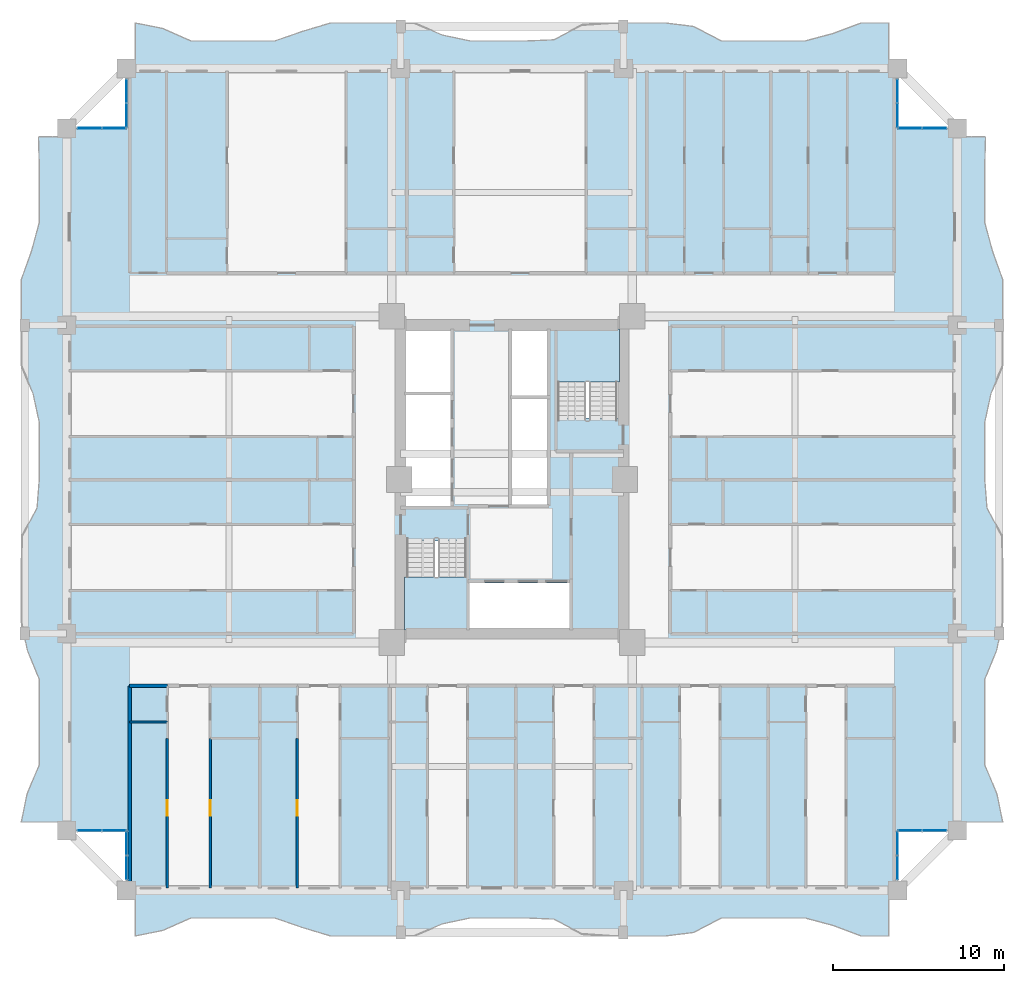
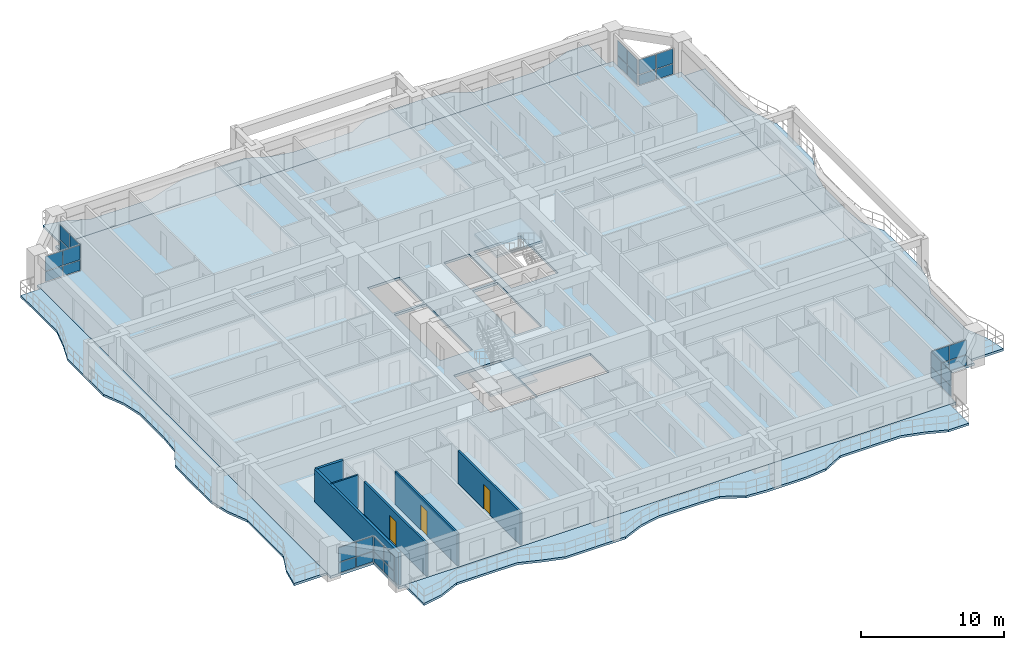
# One storey, part 13 of 28: 32 plates, 7 slabs, 6 walls, 3 doors, 3 openings, 10 elements without a shape of their own.
"""IFC4 building model written with IfcOpenShell, lengths in metres."""

from ifc_helpers import new_model, si_unit, direction, frame, frame_2d, origin, origin_2d, place, context, subcontext, project, spatial, polyline, rectangle, outline, extrude, source, transform, mapped, material, layer, layer_set, type_object, element, fill, aggregate, save


model = new_model("IFC4")

# Units and contexts
model_context = context("Model", 3, precision=1e-05, world=origin(), true_north=direction((0.0, 1.0)))
body_context = subcontext(model_context, "Body", "Model", "MODEL_VIEW")
ifc_project = project(units=[si_unit("LENGTHUNIT", "METRE"), si_unit("AREAUNIT", "SQUARE_METRE"), si_unit("VOLUMEUNIT", "CUBIC_METRE"), si_unit("PLANEANGLEUNIT", "RADIAN"), si_unit("MASSUNIT", "GRAM", prefix="KILO")], contexts=[model_context])

# Site, building, storey
site_placement = place(None, origin())
site = spatial("IfcSite", under=ifc_project, at=site_placement, CompositionType="ELEMENT")
building_placement = place(site_placement, origin())
building = spatial("IfcBuilding", under=site, at=building_placement, Name="Saelheon Loggia Tower", CompositionType="ELEMENT")
storey_placement = place(building_placement, frame((0.0, 0.0, 25.39990234375)))
storey = spatial("IfcBuildingStorey", under=building, at=storey_placement, Name="L07", CompositionType="ELEMENT", Elevation=25.39990234375)

# Slabs
ifc_material_1 = material(Name="Precast Concrete C45/55", Category="concrete")
ifc_layer_1 = layer(ifc_material_1, 0.18994140625)
ifc_layer_set_1 = layer_set([ifc_layer_1], Name="Precast Concrete C45/55")
slab_type_1 = type_object("IfcSlabType", Name="Slab_Loggia_Ext_190", PredefinedType="FLOOR", material=ifc_layer_set_1)
slab_1_placement = place(storey_placement, frame((0.0, 0.0, -0.18994140625)))
element("IfcSlab", 1, at=slab_1_placement, inside=storey, type_object=slab_type_1, Name="L07 Loggia Balcony Slab S", PredefinedType="FLOOR", context=body_context, shape_type="SweptSolid", body=[
    extrude(outline(polyline([(16.0, 0.35009765625), (17.629638671875, 0.67626953125), (19.25927734375, 1.39990234375), (20.888916015625, 1.39990234375), (22.5185546875, 1.39990234375), (24.148193359375, 1.39990234375), (25.77783203125, 0.8349609375), (27.407470703125, 0.35009765625), (29.037109375, 0.35009765625), (30.666748046875, 0.35009765625), (32.29638671875, 0.35009765625), (33.92578125, 1.0537109375), (35.5556640625, 1.39990234375), (37.185302734375, 1.39990234375), (38.814697265625, 1.39990234375), (40.4443359375, 1.33154296875), (42.07421875, 0.4619140625), (43.70361328125, 0.35009765625), (45.333251953125, 0.35009765625), (46.962890625, 0.35009765625), (48.592529296875, 0.549560546875), (50.22216796875, 1.39990234375), (51.851806640625, 1.39990234375), (53.4814453125, 1.39990234375), (55.111083984375, 1.39990234375), (56.74072265625, 0.963623046875), (58.370361328125, 0.35009765625), (60.0, 0.35009765625), (60.0, 3.0), (16.0, 3.0), (16.0, 0.35009765625)])), origin(), (0.0, 0.0, 1.0), 0.18994140625),
])
slab_2_placement = place(storey_placement, frame((0.0, 0.0, -0.18994140625)))
element("IfcSlab", 2, at=slab_2_placement, inside=storey, type_object=slab_type_1, Name="L07 Loggia Balcony Slab N", PredefinedType="FLOOR", context=body_context, shape_type="SweptSolid", body=[
    extrude(outline(polyline([(16.0, 51.0), (60.0, 51.0), (60.0, 53.64990234375), (58.370361328125, 53.64990234375), (56.74072265625, 53.036376953125), (55.111083984375, 52.60009765625), (53.4814453125, 52.60009765625), (51.851806640625, 52.60009765625), (50.22216796875, 52.60009765625), (48.592529296875, 53.450439453125), (46.962890625, 53.64990234375), (45.333251953125, 53.64990234375), (43.70361328125, 53.64990234375), (42.07421875, 53.5380859375), (40.4443359375, 52.66845703125), (38.814697265625, 52.60009765625), (37.185302734375, 52.60009765625), (35.5556640625, 52.60009765625), (33.92578125, 52.9462890625), (32.29638671875, 53.64990234375), (30.666748046875, 53.64990234375), (29.037109375, 53.64990234375), (27.407470703125, 53.64990234375), (25.77783203125, 53.1650390625), (24.148193359375, 52.60009765625), (22.5185546875, 52.60009765625), (20.888916015625, 52.60009765625), (19.25927734375, 52.60009765625), (17.629638671875, 53.32373046875), (16.0, 53.64990234375), (16.0, 51.0)])), origin(), (0.0, 0.0, 1.0), 0.18994140625),
])
slab_3_placement = place(storey_placement, frame((0.0, 0.0, -0.18994140625)))
element("IfcSlab", 3, at=slab_3_placement, inside=storey, type_object=slab_type_1, Name="L07 Loggia Balcony Slab E", PredefinedType="FLOOR", context=body_context, shape_type="SweptSolid", body=[
    extrude(outline(polyline([(64.0, 7.0), (66.64990234375, 7.0), (66.3037109375, 8.666748046875), (65.60009765625, 10.333251953125), (65.60009765625, 12.0), (65.60009765625, 13.666748046875), (65.60009765625, 15.333251953125), (66.28564453125, 17.0), (66.64990234375, 18.666748046875), (66.64990234375, 20.333251953125), (66.64990234375, 22.0), (66.6201171875, 23.666748046875), (65.731201171875, 25.333251953125), (65.60009765625, 27.0), (65.60009765625, 28.666748046875), (65.60009765625, 30.333251953125), (65.960205078125, 32.0), (66.64990234375, 33.666748046875), (66.64990234375, 35.333251953125), (66.64990234375, 37.0), (66.64990234375, 38.666748046875), (66.05029296875, 40.333251953125), (65.60009765625, 42.0), (65.60009765625, 43.666748046875), (65.60009765625, 45.333251953125), (65.64599609375, 47.0), (64.0, 47.0), (64.0, 7.0)])), origin(), (0.0, 0.0, 1.0), 0.18994140625),
])
slab_4_placement = place(storey_placement, frame((0.0, 0.0, -0.18994140625)))
element("IfcSlab", 4, at=slab_4_placement, inside=storey, type_object=slab_type_1, Name="L07 Loggia Balcony Slab W", PredefinedType="FLOOR", context=body_context, shape_type="SweptSolid", body=[
    extrude(outline(polyline([(12.0, 7.0), (12.0, 47.0), (10.35400390625, 47.0), (10.39990234375, 45.333251953125), (10.39990234375, 43.666748046875), (10.39990234375, 42.0), (9.94970703125, 40.333251953125), (9.35009765625, 38.666748046875), (9.35009765625, 37.0), (9.35009765625, 35.333251953125), (9.35009765625, 33.666748046875), (10.039794921875, 32.0), (10.39990234375, 30.333251953125), (10.39990234375, 28.666748046875), (10.39990234375, 27.0), (10.268798828125, 25.333251953125), (9.3798828125, 23.666748046875), (9.35009765625, 22.0), (9.35009765625, 20.333251953125), (9.35009765625, 18.666748046875), (9.71435546875, 17.0), (10.39990234375, 15.333251953125), (10.39990234375, 13.666748046875), (10.39990234375, 12.0), (10.39990234375, 10.333251953125), (9.6962890625, 8.666748046875), (9.35009765625, 7.0), (12.0, 7.0)])), origin(), (0.0, 0.0, 1.0), 0.18994140625),
])

# Stair, slab
ifc_material_2 = material(Name="Concrete C40/50", Category="concrete")
stair_type = type_object("IfcStairType", Name="Stair_Escape_Core", PredefinedType="HALF_TURN_STAIR", material=ifc_material_2)
stair_1_placement = place(storey_placement, origin())
stair_1 = element("IfcStair", 5, at=stair_1_placement, inside=storey, type_object=stair_type, Name="L07 Special Escape Stair ST1", PredefinedType="HALF_TURN_STAIR")
ifc_layer_2 = layer(ifc_material_2, 0.199951171875)
ifc_layer_set_2 = layer_set([ifc_layer_2], Name="Concrete C40/50")
slab_type_2 = type_object("IfcSlabType", Name="Slab_StairLanding_ST1", PredefinedType="LANDING", material=ifc_layer_set_2)
slab_5_placement = place(storey_placement, frame((0.0, 0.0, 1.300048828125)))
slab_5 = element("IfcSlab", 6, at=slab_5_placement, type_object=slab_type_2, Name="ST1 landing 1", PredefinedType="LANDING", context=body_context, shape_type="SweptSolid", body=[
    extrude(outline(polyline([(31.7099609375, 21.31005859375), (31.7099609375, 18.2099609375), (35.469970703125, 18.2099609375), (35.469970703125, 21.31005859375), (31.7099609375, 21.31005859375)])), origin(), (0.0, 0.0, 1.0), 0.199951171875),
])
aggregate(stair_1, [slab_5])

stair_2_placement = place(storey_placement, origin())
stair_2 = element("IfcStair", 7, at=stair_2_placement, inside=storey, type_object=stair_type, Name="L07 Special Escape Stair ST2", PredefinedType="HALF_TURN_STAIR")
ifc_layer_3 = layer(ifc_material_2, 0.199951171875)
ifc_layer_set_3 = layer_set([ifc_layer_3], Name="Concrete C40/50")
slab_type_3 = type_object("IfcSlabType", Name="Slab_StairLanding_ST2", PredefinedType="LANDING", material=ifc_layer_set_3)
slab_6_placement = place(storey_placement, frame((0.0, 0.0, 1.300048828125)))
slab_6 = element("IfcSlab", 8, at=slab_6_placement, type_object=slab_type_3, Name="ST2 landing 1", PredefinedType="LANDING", context=body_context, shape_type="SweptSolid", body=[
    extrude(outline(polyline([(44.2900390625, 32.68994140625), (44.2900390625, 35.7900390625), (40.530029296875, 35.7900390625), (40.530029296875, 32.68994140625), (44.2900390625, 32.68994140625)])), origin(), (0.0, 0.0, 1.0), 0.199951171875),
])
aggregate(stair_2, [slab_6])

# Slab
ifc_layer_4 = layer(ifc_material_2, 0.2099609375)
ifc_layer_set_4 = layer_set([ifc_layer_4], Name="Concrete C40/50")
slab_type_4 = type_object("IfcSlabType", Name="Slab_Tower_210", PredefinedType="FLOOR", material=ifc_layer_set_4)
slab_7_placement = place(storey_placement, frame((0.0, 0.0, -0.2099609375)))
element("IfcSlab", 9, at=slab_7_placement, inside=storey, type_object=slab_type_4, Name="L07 Tower Floor Slab", PredefinedType="FLOOR", context=body_context, shape_type="SweptSolid", body=[
    extrude(outline(polyline([(15.5, 3.0), (60.5, 3.0), (60.5, 6.5), (64.0, 6.5), (64.0, 47.5), (60.5, 47.5), (60.5, 51.0), (15.5, 51.0), (15.5, 47.5), (12.0, 47.5), (12.0, 6.5), (15.5, 6.5), (15.5, 3.0)]), holes=[polyline([(31.699951171875, 23.409912109375), (31.699951171875, 18.199951171875), (35.47998046875, 18.199951171875), (35.47998046875, 23.409912109375), (31.699951171875, 23.409912109375)]), polyline([(44.300048828125, 30.590087890625), (44.300048828125, 35.800048828125), (40.52001953125, 35.800048828125), (40.52001953125, 30.590087890625), (44.300048828125, 30.590087890625)]), polyline([(35.530029296875, 18.324951171875), (41.35009765625, 18.324951171875), (41.35009765625, 20.9599609375), (35.530029296875, 20.9599609375), (35.530029296875, 18.324951171875)]), polyline([(31.824951171875, 32.1201171875), (34.419921875, 32.1201171875), (34.419921875, 35.675048828125), (31.824951171875, 35.675048828125), (31.824951171875, 32.1201171875)]), polyline([(38.0, 31.89990234375), (40.050048828125, 31.89990234375), (40.050048828125, 35.675048828125), (38.0, 35.675048828125), (38.0, 31.89990234375)]), polyline([(31.824951171875, 25.449951171875), (34.419921875, 25.449951171875), (34.419921875, 31.919921875), (31.824951171875, 31.919921875), (31.824951171875, 25.449951171875)]), polyline([(38.0, 25.5400390625), (40.050048828125, 25.5400390625), (40.050048828125, 31.699951171875), (38.0, 31.699951171875), (38.0, 25.5400390625)])]), origin(), (0.0, 0.0, 1.0), 0.2099609375),
])

# Curtain wall, plates
ifc_material_3 = material(Name="Thermal-Break Aluminium and Triple Low-E Glass", Category="aluminium")
ifc_layer_5 = layer(ifc_material_3, 0.159912109375)
ifc_layer_set_5 = layer_set([ifc_layer_5], Name="Thermal-Break Aluminium and Triple Low-E Glass")
curtain_wall_type = type_object("IfcCurtainWallType", Name="CW_TowerLoggiaLow", PredefinedType="NOTDEFINED", material=ifc_layer_set_5)
curtain_wall_1_placement = place(storey_placement, origin())
curtain_wall_1 = element("IfcCurtainWall", 10, at=curtain_wall_1_placement, inside=storey, type_object=curtain_wall_type, Name="L07 Corner Notch Glazing SW1", PredefinedType="NOTDEFINED")
ifc_material_4 = material(Name="Triple Low-E Laminated Glazing", Category="glass")
ifc_layer_6 = layer(ifc_material_4, 0.0419921875)
ifc_layer_set_6 = layer_set([ifc_layer_6], Name="Triple Low-E Laminated Glazing")
plate_type = type_object("IfcPlateType", Name="CW_TowerLoggiaLow_Panel", PredefinedType="CURTAIN_PANEL", material=ifc_layer_set_6)
shared_shape_1 = source(origin(), body_context, "Body", "SweptSolid", [
    extrude(rectangle(XDim=1.357421875, YDim=0.0419921875, at=origin_2d()), origin(), (0.0, 0.0, 1.0), 0.8525390625),
])
plate_1_placement = place(storey_placement, frame((15.5, 4.333740234375, 0.065185546875), z_axis=(0.0, 0.0, 1.0), x_axis=(0.0, 1.0, 0.0)))
plate_1 = element("IfcPlate", 11, at=plate_1_placement, type_object=plate_type, Name="CW3 panel 1.1", PredefinedType="CURTAIN_PANEL", context=body_context, shape_type="MappedRepresentation", body=[
    mapped(shared_shape_1, transform((0.0, 0.0, 0.0), scale=1.0)),
])
plate_2_placement = place(storey_placement, frame((15.5, 5.75634765625, 0.065185546875), z_axis=(0.0, 0.0, 1.0), x_axis=(0.0, 1.0, 0.0)))
plate_2 = element("IfcPlate", 12, at=plate_2_placement, type_object=plate_type, Name="CW3 panel 2.1", PredefinedType="CURTAIN_PANEL", context=body_context, shape_type="MappedRepresentation", body=[
    mapped(shared_shape_1, transform((0.0, 0.0, 0.0), scale=1.0)),
])

curtain_wall_2_placement = place(storey_placement, origin())
curtain_wall_2 = element("IfcCurtainWall", 13, at=curtain_wall_2_placement, inside=storey, type_object=curtain_wall_type, Name="L07 Corner Notch Glazing SW2", PredefinedType="NOTDEFINED")
plate_3_placement = place(storey_placement, frame((13.333740234375, 6.5, 0.065185546875), z_axis=(0.0, 0.0, 1.0), x_axis=(1.0, 0.0, 0.0)))
plate_3 = element("IfcPlate", 14, at=plate_3_placement, type_object=plate_type, Name="CW3 panel 1.1", PredefinedType="CURTAIN_PANEL", context=body_context, shape_type="MappedRepresentation", body=[
    mapped(shared_shape_1, transform((0.0, 0.0, 0.0), scale=1.0)),
])
plate_4_placement = place(storey_placement, frame((14.75634765625, 6.5, 0.065185546875), z_axis=(0.0, 0.0, 1.0), x_axis=(1.0, 0.0, 0.0)))
plate_4 = element("IfcPlate", 15, at=plate_4_placement, type_object=plate_type, Name="CW3 panel 2.1", PredefinedType="CURTAIN_PANEL", context=body_context, shape_type="MappedRepresentation", body=[
    mapped(shared_shape_1, transform((0.0, 0.0, 0.0), scale=1.0)),
])

curtain_wall_3_placement = place(storey_placement, origin())
curtain_wall_3 = element("IfcCurtainWall", 16, at=curtain_wall_3_placement, inside=storey, type_object=curtain_wall_type, Name="L07 Corner Notch Glazing SE1", PredefinedType="NOTDEFINED")
plate_5_placement = place(storey_placement, frame((60.5, 4.333740234375, 0.065185546875), z_axis=(0.0, 0.0, 1.0), x_axis=(0.0, 1.0, 0.0)))
plate_5 = element("IfcPlate", 17, at=plate_5_placement, type_object=plate_type, Name="CW3 panel 1.1", PredefinedType="CURTAIN_PANEL", context=body_context, shape_type="MappedRepresentation", body=[
    mapped(shared_shape_1, transform((0.0, 0.0, 0.0), scale=1.0)),
])
plate_6_placement = place(storey_placement, frame((60.5, 5.75634765625, 0.065185546875), z_axis=(0.0, 0.0, 1.0), x_axis=(0.0, 1.0, 0.0)))
plate_6 = element("IfcPlate", 18, at=plate_6_placement, type_object=plate_type, Name="CW3 panel 2.1", PredefinedType="CURTAIN_PANEL", context=body_context, shape_type="MappedRepresentation", body=[
    mapped(shared_shape_1, transform((0.0, 0.0, 0.0), scale=1.0)),
])

curtain_wall_4_placement = place(storey_placement, origin())
curtain_wall_4 = element("IfcCurtainWall", 19, at=curtain_wall_4_placement, inside=storey, type_object=curtain_wall_type, Name="L07 Corner Notch Glazing SE2", PredefinedType="NOTDEFINED")
plate_7_placement = place(storey_placement, frame((61.24365234375, 6.5, 0.065185546875), z_axis=(0.0, 0.0, 1.0), x_axis=(1.0, 0.0, 0.0)))
plate_7 = element("IfcPlate", 20, at=plate_7_placement, type_object=plate_type, Name="CW3 panel 1.1", PredefinedType="CURTAIN_PANEL", context=body_context, shape_type="MappedRepresentation", body=[
    mapped(shared_shape_1, transform((0.0, 0.0, 0.0), scale=1.0)),
])
plate_8_placement = place(storey_placement, frame((62.666259765625, 6.5, 0.065185546875), z_axis=(0.0, 0.0, 1.0), x_axis=(1.0, 0.0, 0.0)))
plate_8 = element("IfcPlate", 21, at=plate_8_placement, type_object=plate_type, Name="CW3 panel 2.1", PredefinedType="CURTAIN_PANEL", context=body_context, shape_type="MappedRepresentation", body=[
    mapped(shared_shape_1, transform((0.0, 0.0, 0.0), scale=1.0)),
])

curtain_wall_5_placement = place(storey_placement, origin())
curtain_wall_5 = element("IfcCurtainWall", 22, at=curtain_wall_5_placement, inside=storey, type_object=curtain_wall_type, Name="L07 Corner Notch Glazing NW1", PredefinedType="NOTDEFINED")
plate_9_placement = place(storey_placement, frame((15.5, 48.24365234375, 0.065185546875), z_axis=(0.0, 0.0, 1.0), x_axis=(0.0, 1.0, 0.0)))
plate_9 = element("IfcPlate", 23, at=plate_9_placement, type_object=plate_type, Name="CW3 panel 1.1", PredefinedType="CURTAIN_PANEL", context=body_context, shape_type="MappedRepresentation", body=[
    mapped(shared_shape_1, transform((0.0, 0.0, 0.0), scale=1.0)),
])
plate_10_placement = place(storey_placement, frame((15.5, 49.666259765625, 0.065185546875), z_axis=(0.0, 0.0, 1.0), x_axis=(0.0, 1.0, 0.0)))
plate_10 = element("IfcPlate", 24, at=plate_10_placement, type_object=plate_type, Name="CW3 panel 2.1", PredefinedType="CURTAIN_PANEL", context=body_context, shape_type="MappedRepresentation", body=[
    mapped(shared_shape_1, transform((0.0, 0.0, 0.0), scale=1.0)),
])

curtain_wall_6_placement = place(storey_placement, origin())
curtain_wall_6 = element("IfcCurtainWall", 25, at=curtain_wall_6_placement, inside=storey, type_object=curtain_wall_type, Name="L07 Corner Notch Glazing NW2", PredefinedType="NOTDEFINED")
plate_11_placement = place(storey_placement, frame((13.333740234375, 47.5, 0.065185546875), z_axis=(0.0, 0.0, 1.0), x_axis=(1.0, 0.0, 0.0)))
plate_11 = element("IfcPlate", 26, at=plate_11_placement, type_object=plate_type, Name="CW3 panel 1.1", PredefinedType="CURTAIN_PANEL", context=body_context, shape_type="MappedRepresentation", body=[
    mapped(shared_shape_1, transform((0.0, 0.0, 0.0), scale=1.0)),
])
plate_12_placement = place(storey_placement, frame((14.75634765625, 47.5, 0.065185546875), z_axis=(0.0, 0.0, 1.0), x_axis=(1.0, 0.0, 0.0)))
plate_12 = element("IfcPlate", 27, at=plate_12_placement, type_object=plate_type, Name="CW3 panel 2.1", PredefinedType="CURTAIN_PANEL", context=body_context, shape_type="MappedRepresentation", body=[
    mapped(shared_shape_1, transform((0.0, 0.0, 0.0), scale=1.0)),
])

curtain_wall_7_placement = place(storey_placement, origin())
curtain_wall_7 = element("IfcCurtainWall", 28, at=curtain_wall_7_placement, inside=storey, type_object=curtain_wall_type, Name="L07 Corner Notch Glazing NE1", PredefinedType="NOTDEFINED")
plate_13_placement = place(storey_placement, frame((60.5, 48.24365234375, 0.065185546875), z_axis=(0.0, 0.0, 1.0), x_axis=(0.0, 1.0, 0.0)))
plate_13 = element("IfcPlate", 29, at=plate_13_placement, type_object=plate_type, Name="CW3 panel 1.1", PredefinedType="CURTAIN_PANEL", context=body_context, shape_type="MappedRepresentation", body=[
    mapped(shared_shape_1, transform((0.0, 0.0, 0.0), scale=1.0)),
])
plate_14_placement = place(storey_placement, frame((60.5, 49.666259765625, 0.065185546875), z_axis=(0.0, 0.0, 1.0), x_axis=(0.0, 1.0, 0.0)))
plate_14 = element("IfcPlate", 30, at=plate_14_placement, type_object=plate_type, Name="CW3 panel 2.1", PredefinedType="CURTAIN_PANEL", context=body_context, shape_type="MappedRepresentation", body=[
    mapped(shared_shape_1, transform((0.0, 0.0, 0.0), scale=1.0)),
])

curtain_wall_8_placement = place(storey_placement, origin())
curtain_wall_8 = element("IfcCurtainWall", 31, at=curtain_wall_8_placement, inside=storey, type_object=curtain_wall_type, Name="L07 Corner Notch Glazing NE2", PredefinedType="NOTDEFINED")
plate_15_placement = place(storey_placement, frame((61.24365234375, 47.5, 0.065185546875), z_axis=(0.0, 0.0, 1.0), x_axis=(1.0, 0.0, 0.0)))
plate_15 = element("IfcPlate", 32, at=plate_15_placement, type_object=plate_type, Name="CW3 panel 1.1", PredefinedType="CURTAIN_PANEL", context=body_context, shape_type="MappedRepresentation", body=[
    mapped(shared_shape_1, transform((0.0, 0.0, 0.0), scale=1.0)),
])
plate_16_placement = place(storey_placement, frame((62.666259765625, 47.5, 0.065185546875), z_axis=(0.0, 0.0, 1.0), x_axis=(1.0, 0.0, 0.0)))
plate_16 = element("IfcPlate", 33, at=plate_16_placement, type_object=plate_type, Name="CW3 panel 2.1", PredefinedType="CURTAIN_PANEL", context=body_context, shape_type="MappedRepresentation", body=[
    mapped(shared_shape_1, transform((0.0, 0.0, 0.0), scale=1.0)),
])

# Plate
shared_shape_2 = source(origin(), body_context, "Body", "SweptSolid", [
    extrude(rectangle(XDim=1.357421875, YDim=0.0419921875, at=origin_2d()), origin(), (0.0, 0.0, 1.0), 1.232421875),
])
plate_17_placement = place(storey_placement, frame((15.5, 4.333740234375, 0.982666015625), z_axis=(0.0, 0.0, 1.0), x_axis=(0.0, 1.0, 0.0)))
plate_17 = element("IfcPlate", 34, at=plate_17_placement, type_object=plate_type, Name="CW3 panel 1.2", PredefinedType="CURTAIN_PANEL", context=body_context, shape_type="MappedRepresentation", body=[
    mapped(shared_shape_2, transform((0.0, 0.0, 0.0), scale=1.0)),
])

plate_18_placement = place(storey_placement, frame((15.5, 5.75634765625, 0.982666015625), z_axis=(0.0, 0.0, 1.0), x_axis=(0.0, 1.0, 0.0)))
plate_18 = element("IfcPlate", 35, at=plate_18_placement, type_object=plate_type, Name="CW3 panel 2.2", PredefinedType="CURTAIN_PANEL", context=body_context, shape_type="MappedRepresentation", body=[
    mapped(shared_shape_2, transform((0.0, 0.0, 0.0), scale=1.0)),
])

aggregate(curtain_wall_1, [plate_1, plate_17, plate_2, plate_18])

plate_19_placement = place(storey_placement, frame((13.333740234375, 6.5, 0.982666015625), z_axis=(0.0, 0.0, 1.0), x_axis=(1.0, 0.0, 0.0)))
plate_19 = element("IfcPlate", 36, at=plate_19_placement, type_object=plate_type, Name="CW3 panel 1.2", PredefinedType="CURTAIN_PANEL", context=body_context, shape_type="MappedRepresentation", body=[
    mapped(shared_shape_2, transform((0.0, 0.0, 0.0), scale=1.0)),
])

plate_20_placement = place(storey_placement, frame((14.75634765625, 6.5, 0.982666015625), z_axis=(0.0, 0.0, 1.0), x_axis=(1.0, 0.0, 0.0)))
plate_20 = element("IfcPlate", 37, at=plate_20_placement, type_object=plate_type, Name="CW3 panel 2.2", PredefinedType="CURTAIN_PANEL", context=body_context, shape_type="MappedRepresentation", body=[
    mapped(shared_shape_2, transform((0.0, 0.0, 0.0), scale=1.0)),
])

aggregate(curtain_wall_2, [plate_3, plate_19, plate_4, plate_20])

plate_21_placement = place(storey_placement, frame((60.5, 4.333740234375, 0.982666015625), z_axis=(0.0, 0.0, 1.0), x_axis=(0.0, 1.0, 0.0)))
plate_21 = element("IfcPlate", 38, at=plate_21_placement, type_object=plate_type, Name="CW3 panel 1.2", PredefinedType="CURTAIN_PANEL", context=body_context, shape_type="MappedRepresentation", body=[
    mapped(shared_shape_2, transform((0.0, 0.0, 0.0), scale=1.0)),
])

plate_22_placement = place(storey_placement, frame((60.5, 5.75634765625, 0.982666015625), z_axis=(0.0, 0.0, 1.0), x_axis=(0.0, 1.0, 0.0)))
plate_22 = element("IfcPlate", 39, at=plate_22_placement, type_object=plate_type, Name="CW3 panel 2.2", PredefinedType="CURTAIN_PANEL", context=body_context, shape_type="MappedRepresentation", body=[
    mapped(shared_shape_2, transform((0.0, 0.0, 0.0), scale=1.0)),
])

aggregate(curtain_wall_3, [plate_5, plate_21, plate_6, plate_22])

plate_23_placement = place(storey_placement, frame((61.24365234375, 6.5, 0.982666015625), z_axis=(0.0, 0.0, 1.0), x_axis=(1.0, 0.0, 0.0)))
plate_23 = element("IfcPlate", 40, at=plate_23_placement, type_object=plate_type, Name="CW3 panel 1.2", PredefinedType="CURTAIN_PANEL", context=body_context, shape_type="MappedRepresentation", body=[
    mapped(shared_shape_2, transform((0.0, 0.0, 0.0), scale=1.0)),
])

plate_24_placement = place(storey_placement, frame((62.666259765625, 6.5, 0.982666015625), z_axis=(0.0, 0.0, 1.0), x_axis=(1.0, 0.0, 0.0)))
plate_24 = element("IfcPlate", 41, at=plate_24_placement, type_object=plate_type, Name="CW3 panel 2.2", PredefinedType="CURTAIN_PANEL", context=body_context, shape_type="MappedRepresentation", body=[
    mapped(shared_shape_2, transform((0.0, 0.0, 0.0), scale=1.0)),
])

aggregate(curtain_wall_4, [plate_7, plate_23, plate_8, plate_24])

plate_25_placement = place(storey_placement, frame((15.5, 48.24365234375, 0.982666015625), z_axis=(0.0, 0.0, 1.0), x_axis=(0.0, 1.0, 0.0)))
plate_25 = element("IfcPlate", 42, at=plate_25_placement, type_object=plate_type, Name="CW3 panel 1.2", PredefinedType="CURTAIN_PANEL", context=body_context, shape_type="MappedRepresentation", body=[
    mapped(shared_shape_2, transform((0.0, 0.0, 0.0), scale=1.0)),
])

plate_26_placement = place(storey_placement, frame((15.5, 49.666259765625, 0.982666015625), z_axis=(0.0, 0.0, 1.0), x_axis=(0.0, 1.0, 0.0)))
plate_26 = element("IfcPlate", 43, at=plate_26_placement, type_object=plate_type, Name="CW3 panel 2.2", PredefinedType="CURTAIN_PANEL", context=body_context, shape_type="MappedRepresentation", body=[
    mapped(shared_shape_2, transform((0.0, 0.0, 0.0), scale=1.0)),
])

aggregate(curtain_wall_5, [plate_9, plate_25, plate_10, plate_26])

plate_27_placement = place(storey_placement, frame((13.333740234375, 47.5, 0.982666015625), z_axis=(0.0, 0.0, 1.0), x_axis=(1.0, 0.0, 0.0)))
plate_27 = element("IfcPlate", 44, at=plate_27_placement, type_object=plate_type, Name="CW3 panel 1.2", PredefinedType="CURTAIN_PANEL", context=body_context, shape_type="MappedRepresentation", body=[
    mapped(shared_shape_2, transform((0.0, 0.0, 0.0), scale=1.0)),
])

plate_28_placement = place(storey_placement, frame((14.75634765625, 47.5, 0.982666015625), z_axis=(0.0, 0.0, 1.0), x_axis=(1.0, 0.0, 0.0)))
plate_28 = element("IfcPlate", 45, at=plate_28_placement, type_object=plate_type, Name="CW3 panel 2.2", PredefinedType="CURTAIN_PANEL", context=body_context, shape_type="MappedRepresentation", body=[
    mapped(shared_shape_2, transform((0.0, 0.0, 0.0), scale=1.0)),
])

aggregate(curtain_wall_6, [plate_11, plate_27, plate_12, plate_28])

plate_29_placement = place(storey_placement, frame((60.5, 48.24365234375, 0.982666015625), z_axis=(0.0, 0.0, 1.0), x_axis=(0.0, 1.0, 0.0)))
plate_29 = element("IfcPlate", 46, at=plate_29_placement, type_object=plate_type, Name="CW3 panel 1.2", PredefinedType="CURTAIN_PANEL", context=body_context, shape_type="MappedRepresentation", body=[
    mapped(shared_shape_2, transform((0.0, 0.0, 0.0), scale=1.0)),
])

plate_30_placement = place(storey_placement, frame((60.5, 49.666259765625, 0.982666015625), z_axis=(0.0, 0.0, 1.0), x_axis=(0.0, 1.0, 0.0)))
plate_30 = element("IfcPlate", 47, at=plate_30_placement, type_object=plate_type, Name="CW3 panel 2.2", PredefinedType="CURTAIN_PANEL", context=body_context, shape_type="MappedRepresentation", body=[
    mapped(shared_shape_2, transform((0.0, 0.0, 0.0), scale=1.0)),
])

aggregate(curtain_wall_7, [plate_13, plate_29, plate_14, plate_30])

plate_31_placement = place(storey_placement, frame((61.24365234375, 47.5, 0.982666015625), z_axis=(0.0, 0.0, 1.0), x_axis=(1.0, 0.0, 0.0)))
plate_31 = element("IfcPlate", 48, at=plate_31_placement, type_object=plate_type, Name="CW3 panel 1.2", PredefinedType="CURTAIN_PANEL", context=body_context, shape_type="MappedRepresentation", body=[
    mapped(shared_shape_2, transform((0.0, 0.0, 0.0), scale=1.0)),
])

plate_32_placement = place(storey_placement, frame((62.666259765625, 47.5, 0.982666015625), z_axis=(0.0, 0.0, 1.0), x_axis=(1.0, 0.0, 0.0)))
plate_32 = element("IfcPlate", 49, at=plate_32_placement, type_object=plate_type, Name="CW3 panel 2.2", PredefinedType="CURTAIN_PANEL", context=body_context, shape_type="MappedRepresentation", body=[
    mapped(shared_shape_2, transform((0.0, 0.0, 0.0), scale=1.0)),
])

aggregate(curtain_wall_8, [plate_15, plate_31, plate_16, plate_32])

# Wall, opening, door
ifc_material_5 = material(Name="Lightweight Autoclaved Aerated Concrete Block and Acoustic Gypsum", Category="concrete")
ifc_layer_7 = layer(ifc_material_5, 0.14990234375)
ifc_layer_set_7 = layer_set([ifc_layer_7], Name="Lightweight Autoclaved Aerated Concrete Block and Acoustic Gypsum")
wall_type_1 = type_object("IfcWallType", Name="Wall_Part_150", PredefinedType="PARTITIONING", material=ifc_layer_set_7)
wall_1_placement = place(storey_placement, frame((17.8798828125, 11.8798828125, 0.0), z_axis=(0.0, 0.0, 1.0), x_axis=(0.0, -1.0, 0.0)))
wall_1 = element("IfcWall", 50, at=wall_1_placement, inside=storey, type_object=wall_type_1, Name="L07 S Partition U10", PredefinedType="PARTITIONING", context=body_context, shape_type="SweptSolid", body=[
    extrude(rectangle(XDim=8.72998046875, YDim=0.14990234375, at=frame_2d((4.364990234375, 0.0))), origin(), (0.0, 0.0, 1.0), 2.7900390625),
])
opening_1_placement = place(wall_1_placement, frame((3.608642578125, 0.0, 0.0)))
opening_1 = element("IfcOpeningElement", 51, at=opening_1_placement, cuts=wall_1, Name="Opening D-IN2", PredefinedType="OPENING", context=body_context, shape_type="SweptSolid", body=[
    extrude(rectangle(XDim=0.89990234375, YDim=2.10009765625, at=frame_2d((0.449951171875, 1.050048828125))), frame((0.0, 0.0869140625, 0.0), z_axis=(0.0, -1.0, 0.0), x_axis=(1.0, 0.0, 0.0)), (0.0, 0.0, 1.0), 0.173828125),
])
ifc_material_6 = material(Name="Engineered Oak Flush Door", Category="timber")
door_type = type_object("IfcDoorType", Name="Door_Int_900", OperationType="NOTDEFINED", PredefinedType="DOOR", material=ifc_material_6)
shared_shape_3 = source(origin(), body_context, "Body", "SweptSolid", [
    extrude(rectangle(XDim=0.89990234375, YDim=2.10009765625, at=frame_2d((0.449951171875, 1.050048828125))), frame((0.0, 0.02490234375, 0.0), z_axis=(0.0, -1.0, 0.0), x_axis=(1.0, 0.0, 0.0)), (0.0, 0.0, 1.0), 0.050048828125),
])
door_1_placement = place(opening_1_placement, origin())
door_1 = element("IfcDoor", 52, at=door_1_placement, inside=storey, type_object=door_type, Name="Unit U01 Kitchen Door", OperationType="SINGLE_SWING_LEFT", OverallHeight=2.10009765625, OverallWidth=0.89990234375, PredefinedType="DOOR", context=body_context, shape_type="MappedRepresentation", body=[
    mapped(shared_shape_3, transform((0.0, 0.0, 0.0), scale=1.0)),
])
fill(opening_1, door_1)

wall_2_placement = place(storey_placement, frame((20.385009765625, 11.8798828125, 0.0), z_axis=(0.0, 0.0, 1.0), x_axis=(0.0, -1.0, 0.0)))
wall_2 = element("IfcWall", 53, at=wall_2_placement, inside=storey, type_object=wall_type_1, Name="L07 S Partition U12", PredefinedType="PARTITIONING", context=body_context, shape_type="SweptSolid", body=[
    extrude(rectangle(XDim=8.72998046875, YDim=0.14990234375, at=frame_2d((4.364990234375, 0.0))), origin(), (0.0, 0.0, 1.0), 2.7900390625),
])
opening_2_placement = place(wall_2_placement, frame((3.608642578125, 0.0, 0.0)))
opening_2 = element("IfcOpeningElement", 54, at=opening_2_placement, cuts=wall_2, Name="Opening D-IN2", PredefinedType="OPENING", context=body_context, shape_type="SweptSolid", body=[
    extrude(rectangle(XDim=0.89990234375, YDim=2.10009765625, at=frame_2d((0.449951171875, 1.050048828125))), frame((0.0, 0.0869140625, 0.0), z_axis=(0.0, -1.0, 0.0), x_axis=(1.0, 0.0, 0.0)), (0.0, 0.0, 1.0), 0.173828125),
])
door_2_placement = place(opening_2_placement, origin())
door_2 = element("IfcDoor", 55, at=door_2_placement, inside=storey, type_object=door_type, Name="Unit U01 Bedroom 1 Door", OperationType="SINGLE_SWING_LEFT", OverallHeight=2.10009765625, OverallWidth=0.89990234375, PredefinedType="DOOR", context=body_context, shape_type="MappedRepresentation", body=[
    mapped(shared_shape_3, transform((0.0, 0.0, 0.0), scale=1.0)),
])
fill(opening_2, door_2)

wall_3_placement = place(storey_placement, frame((25.46875, 11.8798828125, 0.0), z_axis=(0.0, 0.0, 1.0), x_axis=(0.0, -1.0, 0.0)))
wall_3 = element("IfcWall", 56, at=wall_3_placement, inside=storey, type_object=wall_type_1, Name="L07 S Partition U21", PredefinedType="PARTITIONING", context=body_context, shape_type="SweptSolid", body=[
    extrude(rectangle(XDim=8.72998046875, YDim=0.14990234375, at=frame_2d((4.364990234375, 0.0))), origin(), (0.0, 0.0, 1.0), 2.7900390625),
])
opening_3_placement = place(wall_3_placement, frame((3.608642578125, 0.0, 0.0)))
opening_3 = element("IfcOpeningElement", 57, at=opening_3_placement, cuts=wall_3, Name="Opening D-IN2", PredefinedType="OPENING", context=body_context, shape_type="SweptSolid", body=[
    extrude(rectangle(XDim=0.89990234375, YDim=2.10009765625, at=frame_2d((0.449951171875, 1.050048828125))), frame((0.0, 0.0869140625, 0.0), z_axis=(0.0, -1.0, 0.0), x_axis=(1.0, 0.0, 0.0)), (0.0, 0.0, 1.0), 0.173828125),
])
door_3_placement = place(opening_3_placement, origin())
door_3 = element("IfcDoor", 58, at=door_3_placement, inside=storey, type_object=door_type, Name="Unit U02 Kitchen Door", OperationType="SINGLE_SWING_RIGHT", OverallHeight=2.10009765625, OverallWidth=0.89990234375, PredefinedType="DOOR", context=body_context, shape_type="MappedRepresentation", body=[
    mapped(shared_shape_3, transform((0.0, 0.0, 0.0), scale=1.0)),
])
fill(opening_3, door_3)

# Walls
ifc_material_7 = material(Name="Double Acoustic Stud and Fireboard Partition", Category="gypsum")
ifc_layer_8 = layer(ifc_material_7, 0.199951171875)
ifc_layer_set_8 = layer_set([ifc_layer_8], Name="Double Acoustic Stud and Fireboard Partition")
wall_type_2 = type_object("IfcWallType", Name="Wall_Party_200", PredefinedType="PARTITIONING", material=ifc_layer_set_8)
wall_4_placement = place(storey_placement, frame((15.679931640625, 14.949951171875, 0.0), z_axis=(0.0, 0.0, 1.0), x_axis=(0.0, -1.0, 0.0)))
element("IfcWall", 59, at=wall_4_placement, inside=storey, type_object=wall_type_2, Name="L07 S Partition U01", PredefinedType="PARTITIONING", context=body_context, shape_type="SweptSolid", body=[
    extrude(rectangle(XDim=11.800048828125, YDim=0.199951171875, at=frame_2d((5.89990234375, 0.0))), origin(), (0.0, 0.0, 1.0), 2.7900390625),
])
wall_5_placement = place(storey_placement, frame((15.679931640625, 14.949951171875, 0.0), z_axis=(0.0, 0.0, 1.0), x_axis=(1.0, 0.0, 0.0)))
element("IfcWall", 60, at=wall_5_placement, inside=storey, type_object=wall_type_2, Name="L07 S Partition V03", PredefinedType="PARTITIONING", context=body_context, shape_type="SweptSolid", body=[
    extrude(rectangle(XDim=2.199951171875, YDim=0.199951171875, at=frame_2d((1.10009765625, 0.0))), origin(), (0.0, 0.0, 1.0), 2.7900390625),
])
ifc_material_8 = material(Name="Moisture-Resistant Cement Board Partition", Category="gypsum")
ifc_layer_9 = layer(ifc_material_8, 0.1201171875)
ifc_layer_set_9 = layer_set([ifc_layer_9], Name="Moisture-Resistant Cement Board Partition")
wall_type_3 = type_object("IfcWallType", Name="Wall_WetPart_120", PredefinedType="PARTITIONING", material=ifc_layer_set_9)
wall_6_placement = place(storey_placement, frame((15.679931640625, 12.830078125, 0.0), z_axis=(0.0, 0.0, 1.0), x_axis=(1.0, 0.0, 0.0)))
element("IfcWall", 61, at=wall_6_placement, inside=storey, type_object=wall_type_3, Name="L07 S Partition V06", PredefinedType="PARTITIONING", context=body_context, shape_type="SweptSolid", body=[
    extrude(rectangle(XDim=2.199951171875, YDim=0.1201171875, at=frame_2d((1.10009765625, 0.0))), origin(), (0.0, 0.0, 1.0), 2.7900390625),
])

save(model, "model.ifc")
